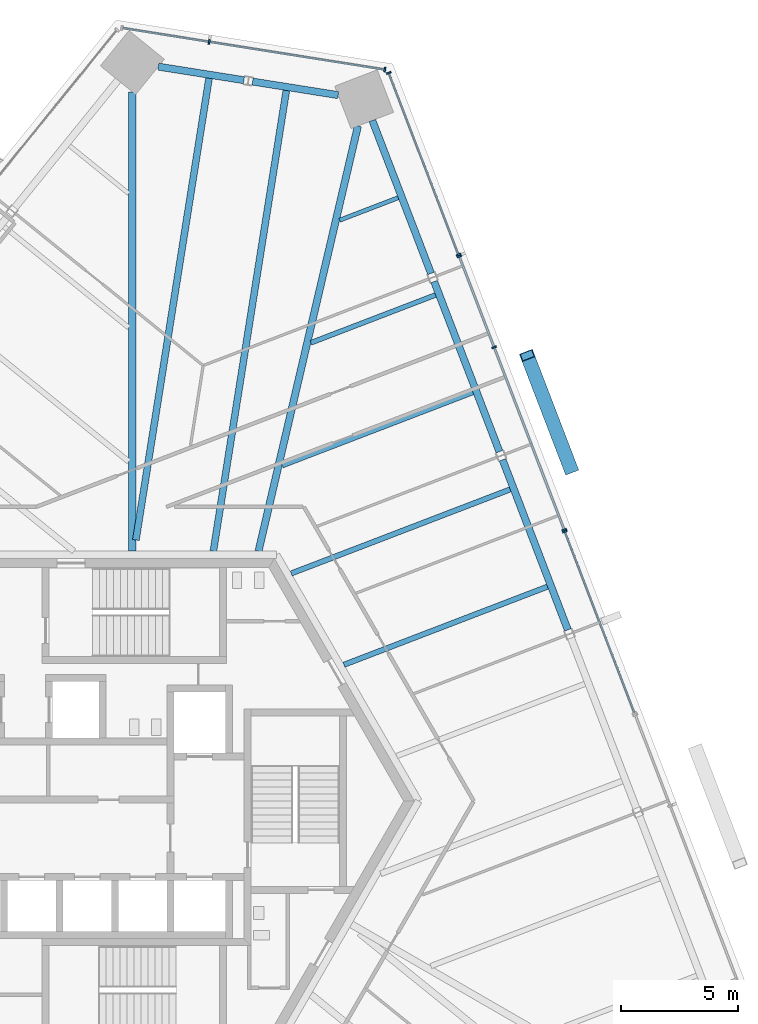
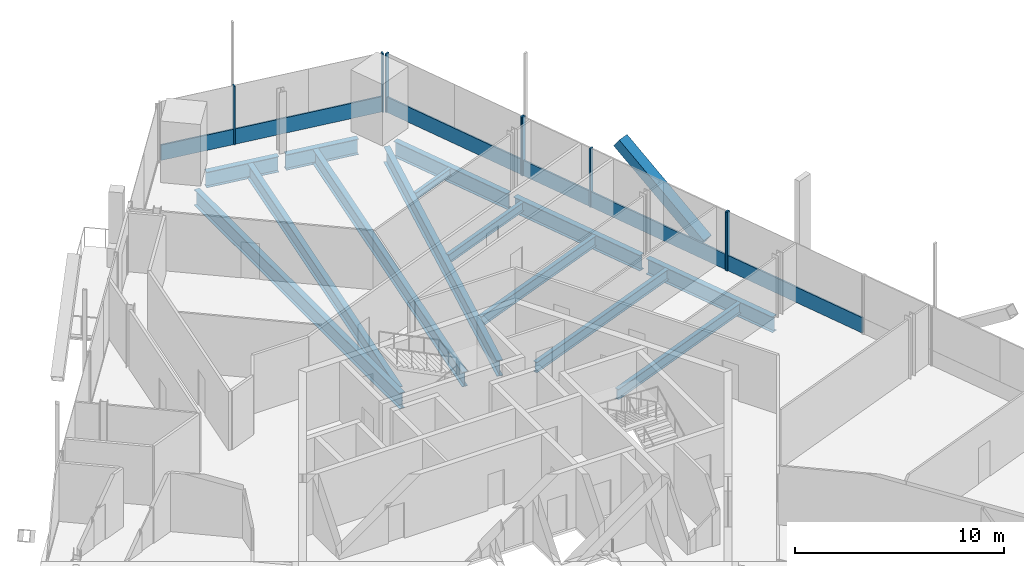
# One storey, part 9 of 21: 15 members, 14 beams, 4 elements without a shape of their own.
"""IFC4 building model written with IfcOpenShell, lengths in metres."""

from ifc_helpers import new_model, si_unit, direction, frame, origin, origin_2d, place, context, subcontext, project, spatial, rectangle, hollow_rectangle, i_section, extrude, source, transform, mapped, material, material_profile, profile_set, type_object, element, aggregate, save


model = new_model("IFC4")

# Units and contexts
model_context = context("Model", 3, precision=1e-05, world=origin(), true_north=direction((0.0, 1.0)))
body_context = subcontext(model_context, "Body", "Model", "MODEL_VIEW")
ifc_project = project(units=[si_unit("LENGTHUNIT", "METRE"), si_unit("AREAUNIT", "SQUARE_METRE"), si_unit("VOLUMEUNIT", "CUBIC_METRE"), si_unit("PLANEANGLEUNIT", "RADIAN"), si_unit("MASSUNIT", "GRAM", prefix="KILO")], contexts=[model_context])

# Site, building, storey
site_placement = place(None, origin())
site = spatial("IfcSite", under=ifc_project, at=site_placement, CompositionType="ELEMENT")
building_placement = place(site_placement, origin())
building = spatial("IfcBuilding", under=site, at=building_placement, Name="Triune Harvest Tower", CompositionType="ELEMENT")
storey_placement = place(building_placement, frame((0.0, 0.0, 160.5)))
storey = spatial("IfcBuildingStorey", under=building, at=storey_placement, Name="L41", CompositionType="ELEMENT", Elevation=160.5)

# Beams
ifc_material_1 = material(Name="Steel ASTM A992 Gr 50", Category="steel")
ifc_material_profile_1 = material_profile(ifc_material_1, i_section(OverallWidth=0.3046875, OverallDepth=0.914306640625, WebThickness=0.0166015625, FlangeThickness=0.02587890625, at=origin_2d()), Name="W36x160")
ifc_profile_set_1 = profile_set([ifc_material_profile_1], Name="Steel ASTM A992 Gr 50")
beam_type_1 = type_object("IfcBeamType", Name="SB-1 Spandrel beam W36x160", PredefinedType="SPANDREL", material=ifc_profile_set_1)
shared_shape_1 = source(origin(), body_context, "Body", "SweptSolid", [
    extrude(i_section(OverallWidth=0.3046875, OverallDepth=0.914306640625, WebThickness=0.0166015625, FlangeThickness=0.02587890625, at=origin_2d()), origin(), (0.0, 0.0, 1.0), 7.013427734375),
])
beam_1_placement = place(storey_placement, frame((12.709716796875, 22.592041015625, -0.6171875), z_axis=(-0.358372513984, 0.93357867436, 0.0), x_axis=(-0.93357867436, -0.358372513984, 0.0)))
element("IfcBeam", 1, at=beam_1_placement, inside=storey, type_object=beam_type_1, Name="beam/L41/SB6", PredefinedType="SPANDREL", context=body_context, shape_type="MappedRepresentation", body=[
    mapped(shared_shape_1, transform((0.0, 0.0, 0.0), scale=1.0)),
])
shared_shape_2 = source(origin(), body_context, "Body", "SweptSolid", [
    extrude(i_section(OverallWidth=0.3046875, OverallDepth=0.914306640625, WebThickness=0.0166015625, FlangeThickness=0.02587890625, at=origin_2d()), origin(), (0.0, 0.0, 1.0), 7.8017578125),
])
for number, where, z_axis, x_axis, name in (
    (2, (18.569091796875, 7.327880859375, -0.6171875), (-0.358372974677, 0.933578497514, 0.0), (-0.933578497514, -0.358372974677, 0.0), "beam/L41/SB4"),
    (3, (15.639404296875, 14.9599609375, -0.6171875), (-0.358372974677, 0.933578497514, 0.0), (-0.933578497514, -0.358372974677, 0.0), "beam/L41/SB5"),
):
    element("IfcBeam", number, at=place(storey_placement, frame(where, z_axis=z_axis, x_axis=x_axis)), inside=storey, type_object=beam_type_1, Name=name, PredefinedType="SPANDREL", context=body_context, shape_type="MappedRepresentation", body=[
        mapped(shared_shape_2, transform((0.0, 0.0, 0.0), scale=1.0)),
    ])
shared_shape_3 = source(origin(), body_context, "Body", "SweptSolid", [
    extrude(i_section(OverallWidth=0.3046875, OverallDepth=0.914306640625, WebThickness=0.0166015625, FlangeThickness=0.02587890625, at=origin_2d()), origin(), (0.0, 0.0, 1.0), 3.71240234375),
])
for number, where, z_axis, x_axis, name in (
    (4, (8.735107421875, 30.225830078125, -0.6171875), (-0.987686063537, 0.156448841145, 0.0), (-0.156448841145, -0.987686063537, 0.0), "beam/L41/SB7"),
    (5, (4.699462890625, 30.864990234375, -0.6171875), (-0.987686063537, 0.156448841145, 0.0), (-0.156448841145, -0.987686063537, 0.0), "beam/L41/SB8"),
):
    element("IfcBeam", number, at=place(storey_placement, frame(where, z_axis=z_axis, x_axis=x_axis)), inside=storey, type_object=beam_type_1, Name=name, PredefinedType="SPANDREL", context=body_context, shape_type="MappedRepresentation", body=[
        mapped(shared_shape_3, transform((0.0, 0.0, 0.0), scale=1.0)),
    ])
ifc_material_2 = material(Name="Steel ASTM A992 Gr 50", Category="steel")
ifc_material_profile_2 = material_profile(ifc_material_2, i_section(OverallWidth=0.307373046875, OverallDepth=0.922119140625, WebThickness=0.018310546875, FlangeThickness=0.030029296875, at=origin_2d()), Name="W36x182")
ifc_profile_set_2 = profile_set([ifc_material_profile_2], Name="Steel ASTM A992 Gr 50")
beam_type_2 = type_object("IfcBeamType", Name="HG-2 Hip girder W36x182", PredefinedType="BEAM", material=ifc_profile_set_2)
shared_shape_4 = source(origin(), body_context, "Body", "SweptSolid", [
    extrude(i_section(OverallWidth=0.307373046875, OverallDepth=0.922119140625, WebThickness=0.018310546875, FlangeThickness=0.030029296875, at=origin_2d()), origin(), (0.0, 0.0, 1.0), 18.6962890625),
])
beam_2_placement = place(storey_placement, frame((9.578857421875, 28.902587890625, -0.62109375), z_axis=(-0.227605246905, -0.973753486043, 0.0), x_axis=(0.973753486043, -0.227605246905, 0.0)))
element("IfcBeam", 6, at=beam_2_placement, inside=storey, type_object=beam_type_2, Name="beam/L41/HG3", PredefinedType="BEAM", context=body_context, shape_type="MappedRepresentation", body=[
    mapped(shared_shape_4, transform((0.0, 0.0, 0.0), scale=1.0)),
])
shared_shape_5 = source(origin(), body_context, "Body", "SweptSolid", [
    extrude(i_section(OverallWidth=0.307373046875, OverallDepth=0.922119140625, WebThickness=0.018310546875, FlangeThickness=0.030029296875, at=origin_2d()), origin(), (0.0, 0.0, 1.0), 19.670166015625),
])
beam_3_placement = place(storey_placement, frame((-0.0791015625, 30.3671875, -0.62109375), z_axis=(0.0, -1.0, 0.0), x_axis=(1.0, 0.0, 0.0)))
element("IfcBeam", 7, at=beam_3_placement, inside=storey, type_object=beam_type_2, Name="beam/L41/HG4", PredefinedType="BEAM", context=body_context, shape_type="MappedRepresentation", body=[
    mapped(shared_shape_5, transform((0.0, 0.0, 0.0), scale=1.0)),
])
ifc_material_3 = material(Name="Steel ASTM A992 Gr 50", Category="steel")
ifc_material_profile_3 = material_profile(ifc_material_3, i_section(OverallWidth=0.22900390625, OverallDepth=0.612060546875, WebThickness=0.011962890625, FlangeThickness=0.01953125, at=origin_2d()), Name="W24x84")
ifc_profile_set_3 = profile_set([ifc_material_profile_3], Name="Steel ASTM A992 Gr 50")
beam_type_3 = type_object("IfcBeamType", Name="JT-3 Floor joist W24x84", PredefinedType="JOIST", material=ifc_profile_set_3)
shared_shape_6 = source(origin(), body_context, "Body", "SweptSolid", [
    extrude(i_section(OverallWidth=0.22900390625, OverallDepth=0.612060546875, WebThickness=0.011962890625, FlangeThickness=0.01953125, at=origin_2d()), origin(), (0.0, 0.0, 1.0), 9.33203125),
])
beam_4_placement = place(storey_placement, frame((17.694580078125, 9.180419921875, -0.466064453125), z_axis=(-0.933582072806, -0.358363660734, 0.0), x_axis=(0.358363660734, -0.933582072806, 0.0)))
element("IfcBeam", 8, at=beam_4_placement, inside=storey, type_object=beam_type_3, Name="beam/L41/JT6", PredefinedType="JOIST", context=body_context, shape_type="MappedRepresentation", body=[
    mapped(shared_shape_6, transform((0.0, 0.0, 0.0), scale=1.0)),
])
shared_shape_7 = source(origin(), body_context, "Body", "SweptSolid", [
    extrude(i_section(OverallWidth=0.22900390625, OverallDepth=0.612060546875, WebThickness=0.011962890625, FlangeThickness=0.01953125, at=origin_2d()), origin(), (0.0, 0.0, 1.0), 10.038330078125),
])
beam_5_placement = place(storey_placement, frame((16.0966796875, 13.343505859375, -0.466064453125), z_axis=(-0.933580465952, -0.358367846762, 0.0), x_axis=(0.358367846762, -0.933580465952, 0.0)))
element("IfcBeam", 9, at=beam_5_placement, inside=storey, type_object=beam_type_3, Name="beam/L41/JT7", PredefinedType="JOIST", context=body_context, shape_type="MappedRepresentation", body=[
    mapped(shared_shape_7, transform((0.0, 0.0, 0.0), scale=1.0)),
])
shared_shape_8 = source(origin(), body_context, "Body", "SweptSolid", [
    extrude(i_section(OverallWidth=0.22900390625, OverallDepth=0.612060546875, WebThickness=0.011962890625, FlangeThickness=0.01953125, at=origin_2d()), origin(), (0.0, 0.0, 1.0), 8.738037109375),
])
beam_6_placement = place(storey_placement, frame((14.498779296875, 17.50634765625, -0.466064453125), z_axis=(-0.933584472757, -0.358357408499, 0.0), x_axis=(0.358357408499, -0.933584472757, 0.0)))
element("IfcBeam", 10, at=beam_6_placement, inside=storey, type_object=beam_type_3, Name="beam/L41/JT8", PredefinedType="JOIST", context=body_context, shape_type="MappedRepresentation", body=[
    mapped(shared_shape_8, transform((0.0, 0.0, 0.0), scale=1.0)),
])
ifc_material_4 = material(Name="Steel ASTM A992 Gr 50", Category="steel")
ifc_material_profile_4 = material_profile(ifc_material_4, i_section(OverallWidth=0.2099609375, OverallDepth=0.535888671875, WebThickness=0.010986328125, FlangeThickness=0.017333984375, at=origin_2d()), Name="W21x68")
ifc_profile_set_4 = profile_set([ifc_material_profile_4], Name="Steel ASTM A992 Gr 50")
beam_type_4 = type_object("IfcBeamType", Name="JT-2 Floor joist W21x68", PredefinedType="JOIST", material=ifc_profile_set_4)
shared_shape_9 = source(origin(), body_context, "Body", "SweptSolid", [
    extrude(i_section(OverallWidth=0.2099609375, OverallDepth=0.535888671875, WebThickness=0.010986328125, FlangeThickness=0.017333984375, at=origin_2d()), origin(), (0.0, 0.0, 1.0), 5.712890625),
])
beam_7_placement = place(storey_placement, frame((12.90087890625, 21.669189453125, -0.427978515625), z_axis=(-0.933593203906, -0.358334661483, 0.0), x_axis=(0.358334661483, -0.933593203906, 0.0)))
element("IfcBeam", 11, at=beam_7_placement, inside=storey, type_object=beam_type_4, Name="beam/L41/JT9", PredefinedType="JOIST", context=body_context, shape_type="MappedRepresentation", body=[
    mapped(shared_shape_9, transform((0.0, 0.0, 0.0), scale=1.0)),
])
ifc_material_5 = material(Name="Steel ASTM A992 Gr 50", Category="steel")
ifc_material_profile_5 = material_profile(ifc_material_5, i_section(OverallWidth=0.180908203125, OverallDepth=0.41650390625, WebThickness=0.010986328125, FlangeThickness=0.01806640625, at=origin_2d()), Name="W16x57")
ifc_profile_set_5 = profile_set([ifc_material_profile_5], Name="Steel ASTM A992 Gr 50")
beam_type_5 = type_object("IfcBeamType", Name="JT-1 Floor joist W16x57", PredefinedType="JOIST", material=ifc_profile_set_5)
shared_shape_10 = source(origin(), body_context, "Body", "SweptSolid", [
    extrude(i_section(OverallWidth=0.180908203125, OverallDepth=0.41650390625, WebThickness=0.010986328125, FlangeThickness=0.01806640625, at=origin_2d()), origin(), (0.0, 0.0, 1.0), 2.687255859375),
])
beam_8_placement = place(storey_placement, frame((11.302734375, 25.832275390625, -0.368408203125), z_axis=(-0.933567867424, -0.358400665336, 0.0), x_axis=(0.358400665336, -0.933567867424, 0.0)))
element("IfcBeam", 12, at=beam_8_placement, inside=storey, type_object=beam_type_5, Name="beam/L41/JT10", PredefinedType="JOIST", context=body_context, shape_type="MappedRepresentation", body=[
    mapped(shared_shape_10, transform((0.0, 0.0, 0.0), scale=1.0)),
])
ifc_material_6 = material(Name="Steel ASTM A992 Gr 50", Category="steel")
ifc_material_profile_6 = material_profile(ifc_material_6, i_section(OverallWidth=0.2919921875, OverallDepth=0.8583984375, WebThickness=0.01708984375, FlangeThickness=0.031005859375, at=origin_2d()), Name="W33x169")
ifc_profile_set_6 = profile_set([ifc_material_profile_6], Name="Steel ASTM A992 Gr 50")
beam_type_6 = type_object("IfcBeamType", Name="JT-7 Floor joist W33x169", PredefinedType="JOIST", material=ifc_profile_set_6)
shared_shape_11 = source(origin(), body_context, "Body", "SweptSolid", [
    extrude(i_section(OverallWidth=0.2919921875, OverallDepth=0.8583984375, WebThickness=0.01708984375, FlangeThickness=0.031005859375, at=origin_2d()), origin(), (0.0, 0.0, 1.0), 19.97216796875),
])
beam_9_placement = place(storey_placement, frame((6.514404296875, 30.42333984375, -0.58935546875), z_axis=(-0.15643083518, -0.987688915502, 0.0), x_axis=(0.987688915502, -0.15643083518, 0.0)))
element("IfcBeam", 13, at=beam_9_placement, inside=storey, type_object=beam_type_6, Name="beam/L41/JT11", PredefinedType="JOIST", context=body_context, shape_type="MappedRepresentation", body=[
    mapped(shared_shape_11, transform((0.0, 0.0, 0.0), scale=1.0)),
])
shared_shape_12 = source(origin(), body_context, "Body", "SweptSolid", [
    extrude(i_section(OverallWidth=0.2919921875, OverallDepth=0.8583984375, WebThickness=0.01708984375, FlangeThickness=0.031005859375, at=origin_2d()), origin(), (0.0, 0.0, 1.0), 20.016845703125),
])
beam_10_placement = place(storey_placement, frame((3.205810546875, 30.947509765625, -0.58935546875), z_axis=(-0.156434798458, -0.987688287787, 0.0), x_axis=(0.987688287787, -0.156434798458, 0.0)))
element("IfcBeam", 14, at=beam_10_placement, inside=storey, type_object=beam_type_6, Name="beam/L41/JT12", PredefinedType="JOIST", context=body_context, shape_type="MappedRepresentation", body=[
    mapped(shared_shape_12, transform((0.0, 0.0, 0.0), scale=1.0)),
])

# Member
ifc_material_7 = material(Name="Steel ASTM A572 Gr 50", Category="steel")
ifc_material_profile_7 = material_profile(ifc_material_7, hollow_rectangle(XDim=0.60009765625, YDim=0.60009765625, WallThickness=0.0400390625, at=origin_2d()), Name="Box 600x600x40")
ifc_profile_set_7 = profile_set([ifc_material_profile_7], Name="Steel ASTM A572 Gr 50")
member_type_1 = type_object("IfcMemberType", Name="BR-2 Brace Box 600x600x40", PredefinedType="BRACE", material=ifc_profile_set_7)
shared_shape_13 = source(origin(), body_context, "Body", "SweptSolid", [
    extrude(hollow_rectangle(XDim=0.60009765625, YDim=0.60009765625, WallThickness=0.0400390625, at=origin_2d()), origin(), (0.0, 0.0, 1.0), 6.3291015625),
])
member_1_placement = place(storey_placement, frame((18.6953125, 14.222900390625, 0.0), z_axis=(-0.294740818173, 0.767845926784, 0.568806190915), x_axis=(-0.933583525139, -0.358359877202, 0.0)))
element("IfcMember", 15, at=member_1_placement, inside=storey, type_object=member_type_1, Name="brace/B4-F1/d1/7", PredefinedType="BRACE", context=body_context, shape_type="MappedRepresentation", body=[
    mapped(shared_shape_13, transform((0.0, 0.0, 0.0), scale=1.0)),
])

# Curtain wall, member
ifc_material_8 = material(Name="Aluminium bronze anodised", Category="aluminium")
curtain_wall_type_1 = type_object("IfcCurtainWallType", Name="CW-1 Tower stick curtain wall", PredefinedType="NOTDEFINED", material=ifc_material_8)
curtain_wall_1_placement = place(storey_placement, origin())
curtain_wall_1 = element("IfcCurtainWall", 16, at=curtain_wall_1_placement, inside=storey, type_object=curtain_wall_type_1, Name="CW-1 B4-F1 L41 run 2001")
ifc_material_9 = material(Name="Aluminium bronze anodised", Category="aluminium")
ifc_material_profile_8 = material_profile(ifc_material_9, rectangle(XDim=0.199951171875, YDim=0.074951171875, at=origin_2d()), Name="MU-1 mullion 75 x 200")
ifc_profile_set_8 = profile_set([ifc_material_profile_8], Name="Aluminium bronze anodised")
member_type_2 = type_object("IfcMemberType", Name="MU-1 mullion 75 x 200", PredefinedType="MULLION", material=ifc_profile_set_8)
shared_shape_14 = source(origin(), body_context, "Body", "SweptSolid", [
    extrude(rectangle(XDim=0.199951171875, YDim=0.074951171875, at=origin_2d()), origin(), (0.0, 0.0, 1.0), 3.43994140625),
])
member_2_placement = place(storey_placement, frame((18.438720703125, 11.543212890625, 0.0), z_axis=(0.0, 0.0, 1.0), x_axis=(-0.933581006576, -0.358366438386, 0.0)))
member_2 = element("IfcMember", 17, at=member_2_placement, type_object=member_type_2, Name="CW-1 mullion B4-F1 2001.3", PredefinedType="MULLION", context=body_context, shape_type="MappedRepresentation", body=[
    mapped(shared_shape_14, transform((0.0, 0.0, 0.0), scale=1.0)),
])

# Curtain wall, members
ifc_material_10 = material(Name="Aluminium bronze anodised", Category="aluminium")
curtain_wall_type_2 = type_object("IfcCurtainWallType", Name="CW-7 Tower stick curtain wall with insulated spandrel infill", PredefinedType="NOTDEFINED", material=ifc_material_10)
curtain_wall_2_placement = place(storey_placement, origin())
curtain_wall_2 = element("IfcCurtainWall", 18, at=curtain_wall_2_placement, inside=storey, type_object=curtain_wall_type_2, Name="CW-7 B4-F1 L41 run 3001")
member_3_placement = place(storey_placement, frame((18.411865234375, 11.61328125, 0.0), z_axis=(0.0, 0.0, 1.0), x_axis=(-0.933581314499, -0.358365636212, 0.0)))
member_3 = element("IfcMember", 19, at=member_3_placement, type_object=member_type_2, Name="CW-7 mullion B4-F1 3001.1", PredefinedType="MULLION", context=body_context, shape_type="MappedRepresentation", body=[
    mapped(shared_shape_14, transform((0.0, 0.0, 0.0), scale=1.0)),
])
member_4_placement = place(storey_placement, frame((15.41064453125, 19.431640625, 0.0), z_axis=(0.0, 0.0, 1.0), x_axis=(-0.933581314499, -0.358365636212, 0.0)))
member_4 = element("IfcMember", 20, at=member_4_placement, type_object=member_type_2, Name="CW-7 mullion B4-F1 3001.3", PredefinedType="MULLION", context=body_context, shape_type="MappedRepresentation", body=[
    mapped(shared_shape_14, transform((0.0, 0.0, 0.0), scale=1.0)),
])
member_5_placement = place(storey_placement, frame((13.916748046875, 23.323486328125, 0.0), z_axis=(0.0, 0.0, 1.0), x_axis=(-0.933581314499, -0.358365636212, 0.0)))
member_5 = element("IfcMember", 21, at=member_5_placement, type_object=member_type_2, Name="CW-7 mullion B4-F1 3001.4", PredefinedType="MULLION", context=body_context, shape_type="MappedRepresentation", body=[
    mapped(shared_shape_14, transform((0.0, 0.0, 0.0), scale=1.0)),
])

curtain_wall_3_placement = place(storey_placement, origin())
curtain_wall_3 = element("IfcCurtainWall", 22, at=curtain_wall_3_placement, inside=storey, type_object=curtain_wall_type_1, Name="CW-1 B4-F1 L41 run 4001")
member_6_placement = place(storey_placement, frame((13.8896484375, 23.3935546875, 0.0), z_axis=(0.0, 0.0, 1.0), x_axis=(-0.933577281141, -0.35837614337, 0.0)))
member_6 = element("IfcMember", 23, at=member_6_placement, type_object=member_type_2, Name="CW-1 mullion B4-F1 4001.1", PredefinedType="MULLION", context=body_context, shape_type="MappedRepresentation", body=[
    mapped(shared_shape_14, transform((0.0, 0.0, 0.0), scale=1.0)),
])
member_7_placement = place(storey_placement, frame((10.90185546875, 31.177001953125, 0.0), z_axis=(0.0, 0.0, 1.0), x_axis=(-0.933577281141, -0.35837614337, 0.0)))
member_7 = element("IfcMember", 24, at=member_7_placement, type_object=member_type_2, Name="CW-1 mullion B4-F1 4001.3", PredefinedType="MULLION", context=body_context, shape_type="MappedRepresentation", body=[
    mapped(shared_shape_14, transform((0.0, 0.0, 0.0), scale=1.0)),
])

curtain_wall_4_placement = place(storey_placement, origin())
curtain_wall_4 = element("IfcCurtainWall", 25, at=curtain_wall_4_placement, inside=storey, type_object=curtain_wall_type_1, Name="CW-1 B4-F2 L41 run 1")
member_8_placement = place(storey_placement, frame((10.730224609375, 31.31591796875, 0.0), z_axis=(0.0, 0.0, 1.0), x_axis=(-0.156432728322, -0.987688615663, 0.0)))
member_8 = element("IfcMember", 26, at=member_8_placement, type_object=member_type_2, Name="CW-1 mullion B4-F2 1.1", PredefinedType="MULLION", context=body_context, shape_type="MappedRepresentation", body=[
    mapped(shared_shape_14, transform((0.0, 0.0, 0.0), scale=1.0)),
])
member_9_placement = place(storey_placement, frame((3.21240234375, 32.506591796875, 0.0), z_axis=(0.0, 0.0, 1.0), x_axis=(-0.156432728322, -0.987688615663, 0.0)))
member_9 = element("IfcMember", 27, at=member_9_placement, type_object=member_type_2, Name="CW-1 mullion B4-F2 1.3", PredefinedType="MULLION", context=body_context, shape_type="MappedRepresentation", body=[
    mapped(shared_shape_14, transform((0.0, 0.0, 0.0), scale=1.0)),
])
ifc_material_11 = material(Name="Aluminium bronze anodised", Category="aluminium")
ifc_material_profile_9 = material_profile(ifc_material_11, rectangle(XDim=0.090087890625, YDim=0.89990234375, at=origin_2d()), Name="TR-1 transom 90 x 900")
ifc_profile_set_9 = profile_set([ifc_material_profile_9], Name="Aluminium bronze anodised")
member_type_3 = type_object("IfcMemberType", Name="TR-1 transom 90 x 900", PredefinedType="USERDEFINED", material=ifc_profile_set_9)
shared_shape_15 = source(origin(), body_context, "Body", "SweptSolid", [
    extrude(rectangle(XDim=0.090087890625, YDim=0.89990234375, at=origin_2d()), origin(), (0.0, 0.0, 1.0), 7.536376953125),
])
member_10_placement = place(storey_placement, frame((10.693115234375, 31.32177734375, 0.449951171875), z_axis=(-0.987688256511, 0.156434995923, 0.0), x_axis=(-0.156434995923, -0.987688256511, 0.0)))
member_10 = element("IfcMember", 28, at=member_10_placement, type_object=member_type_3, Name="CW-1 transom B4-F2 1.1", ObjectType="TRANSOM", PredefinedType="USERDEFINED", context=body_context, shape_type="MappedRepresentation", body=[
    mapped(shared_shape_15, transform((0.0, 0.0, 0.0), scale=1.0)),
])
shared_shape_16 = source(origin(), body_context, "Body", "SweptSolid", [
    extrude(rectangle(XDim=0.090087890625, YDim=0.89990234375, at=origin_2d()), origin(), (0.0, 0.0, 1.0), 3.7119140625),
])
member_11_placement = place(storey_placement, frame((3.17529296875, 32.512451171875, 0.449951171875), z_axis=(-0.987682843675, 0.156469167284, 0.0), x_axis=(-0.156469167284, -0.987682843675, 0.0)))
member_11 = element("IfcMember", 29, at=member_11_placement, type_object=member_type_3, Name="CW-1 transom B4-F2 1.2", ObjectType="TRANSOM", PredefinedType="USERDEFINED", context=body_context, shape_type="MappedRepresentation", body=[
    mapped(shared_shape_16, transform((0.0, 0.0, 0.0), scale=1.0)),
])
aggregate(curtain_wall_4, [member_8, member_9, member_10, member_11])

# Member
shared_shape_17 = source(origin(), body_context, "Body", "SweptSolid", [
    extrude(rectangle(XDim=0.090087890625, YDim=0.89990234375, at=origin_2d()), origin(), (0.0, 0.0, 1.0), 8.2998046875),
])
member_12_placement = place(storey_placement, frame((18.3984375, 11.648193359375, 0.449951171875), z_axis=(-0.35836598202, 0.933581181757, 0.0), x_axis=(-0.933581181757, -0.35836598202, 0.0)))
member_12 = element("IfcMember", 30, at=member_12_placement, type_object=member_type_3, Name="CW-7 transom B4-F1 3001.1", ObjectType="TRANSOM", PredefinedType="USERDEFINED", context=body_context, shape_type="MappedRepresentation", body=[
    mapped(shared_shape_17, transform((0.0, 0.0, 0.0), scale=1.0)),
])

shared_shape_18 = source(origin(), body_context, "Body", "SweptSolid", [
    extrude(rectangle(XDim=0.090087890625, YDim=0.89990234375, at=origin_2d()), origin(), (0.0, 0.0, 1.0), 8.26220703125),
])
member_13_placement = place(storey_placement, frame((13.876220703125, 23.428466796875, 0.449951171875), z_axis=(-0.358373092083, 0.933578452446, 0.0), x_axis=(-0.933578452446, -0.358373092083, 0.0)))
member_13 = element("IfcMember", 31, at=member_13_placement, type_object=member_type_3, Name="CW-1 transom B4-F1 4001.1", ObjectType="TRANSOM", PredefinedType="USERDEFINED", context=body_context, shape_type="MappedRepresentation", body=[
    mapped(shared_shape_18, transform((0.0, 0.0, 0.0), scale=1.0)),
])

aggregate(curtain_wall_3, [member_6, member_7, member_13])

shared_shape_19 = source(origin(), body_context, "Body", "SweptSolid", [
    extrude(rectangle(XDim=0.090087890625, YDim=0.89990234375, at=origin_2d()), origin(), (0.0, 0.0, 1.0), 8.262451171875),
])
member_14_placement = place(storey_placement, frame((21.4130859375, 3.794677734375, 0.449951171875), z_axis=(-0.358363206066, 0.933582247334, 0.0), x_axis=(-0.933582247334, -0.358363206066, 0.0)))
member_14 = element("IfcMember", 32, at=member_14_placement, type_object=member_type_3, Name="CW-1 transom B4-F1 2001.1", ObjectType="TRANSOM", PredefinedType="USERDEFINED", context=body_context, shape_type="MappedRepresentation", body=[
    mapped(shared_shape_19, transform((0.0, 0.0, 0.0), scale=1.0)),
])

aggregate(curtain_wall_1, [member_2, member_14])

shared_shape_20 = source(origin(), body_context, "Body", "SweptSolid", [
    extrude(rectangle(XDim=0.090087890625, YDim=0.89990234375, at=origin_2d()), origin(), (0.0, 0.0, 1.0), 4.093505859375),
])
member_15_placement = place(storey_placement, frame((15.39697265625, 19.466796875, 0.449951171875), z_axis=(-0.358315573345, 0.933600530151, 0.0), x_axis=(-0.933600530151, -0.358315573345, 0.0)))
member_15 = element("IfcMember", 33, at=member_15_placement, type_object=member_type_3, Name="CW-7 transom B4-F1 3001.2", ObjectType="TRANSOM", PredefinedType="USERDEFINED", context=body_context, shape_type="MappedRepresentation", body=[
    mapped(shared_shape_20, transform((0.0, 0.0, 0.0), scale=1.0)),
])

aggregate(curtain_wall_2, [member_3, member_4, member_5, member_12, member_15])

save(model, "model.ifc")
